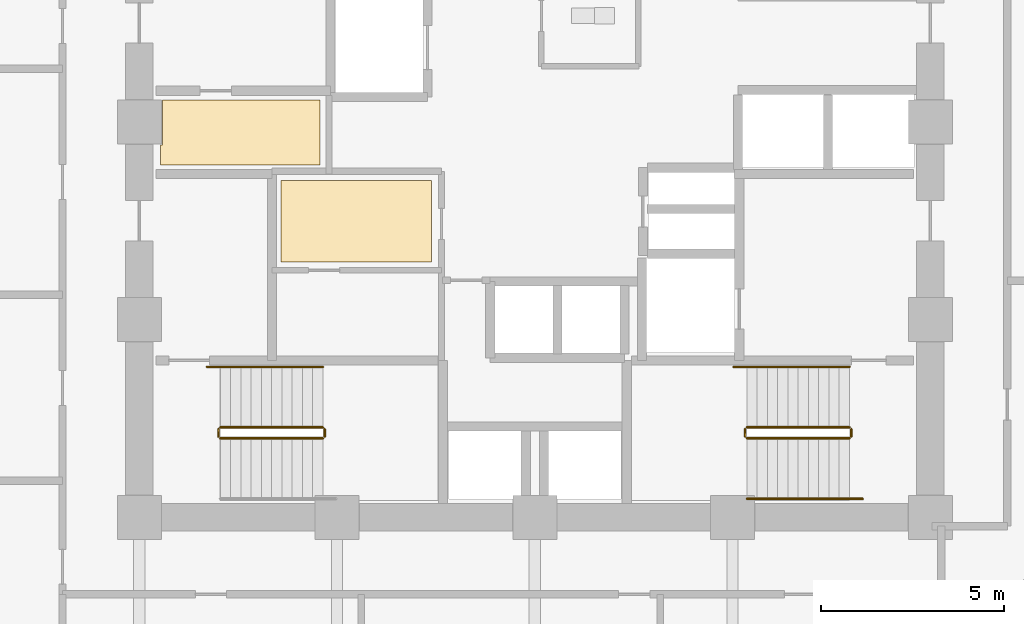
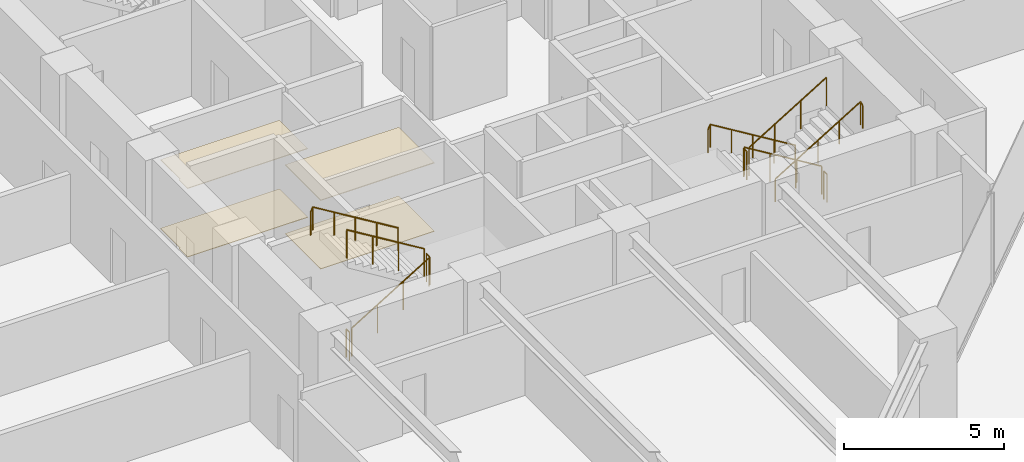
# One storey, part 24 of 27: 11 railings, 4 coverings.
"""IFC4 building model written with IfcOpenShell, lengths in metres."""

from ifc_helpers import new_model, si_unit, direction, frame, origin, origin_2d, place, context, subcontext, project, spatial, polyline, circle, outline, extrude, material, layer, layer_set, type_object, element, save


model = new_model("IFC4")

# Units and contexts
model_context = context("Model", 3, precision=1e-05, world=origin(), true_north=direction((0.0, 1.0)))
body_context = subcontext(model_context, "Body", "Model", "MODEL_VIEW")
ifc_project = project(units=[si_unit("LENGTHUNIT", "METRE"), si_unit("AREAUNIT", "SQUARE_METRE"), si_unit("VOLUMEUNIT", "CUBIC_METRE"), si_unit("PLANEANGLEUNIT", "RADIAN"), si_unit("MASSUNIT", "GRAM", prefix="KILO")], contexts=[model_context])

# Site, building, storey
site_placement = place(None, origin())
site = spatial("IfcSite", under=ifc_project, at=site_placement, CompositionType="ELEMENT")
building_placement = place(site_placement, origin())
building = spatial("IfcBuilding", under=site, at=building_placement, Name="Surkhivell Harbour Commons", CompositionType="ELEMENT")
storey_placement = place(building_placement, frame((0.0, 0.0, 22.5)))
storey = spatial("IfcBuildingStorey", under=building, at=storey_placement, Name="L05", CompositionType="ELEMENT", Elevation=22.5)

# Coverings
ifc_material_1 = material(Name="Perforated acoustic mineral-fibre ceiling tile", Category="other")
ifc_layer_1 = layer(ifc_material_1, 0.02490234375)
ifc_layer_set_1 = layer_set([ifc_layer_1], Name="Perforated acoustic mineral-fibre ceiling tile")
covering_type_1 = type_object("IfcCoveringType", Name="COV-CEIL-AC", PredefinedType="CEILING", material=ifc_layer_set_1)
covering_1_placement = place(storey_placement, frame((0.0, 0.0, 2.6240234375)))
element("IfcCovering", 1, at=covering_1_placement, inside=storey, type_object=covering_type_1, Name="L05 Suspended Acoustic Ceiling 1", PredefinedType="CEILING", context=body_context, shape_type="SweptSolid", body=[
    extrude(outline(polyline([(-10.219970703125, -1.179931640625), (-5.8701171875, -1.179931640625), (-5.8701171875, 0.60009765625), (-10.169921875, 0.60009765625), (-10.169921875, -0.6298828125), (-10.219970703125, -0.6298828125), (-10.219970703125, -1.179931640625)])), origin(), (0.0, 0.0, 1.0), 0.02490234375),
])
ifc_material_2 = material(Name="Moisture-resistant gypsum acoustic ceiling board", Category="other")
ifc_layer_2 = layer(ifc_material_2, 0.030029296875)
ifc_layer_set_2 = layer_set([ifc_layer_2], Name="Moisture-resistant gypsum acoustic ceiling board")
covering_type_2 = type_object("IfcCoveringType", Name="COV-CEIL-GYP", PredefinedType="CEILING", material=ifc_layer_set_2)
covering_2_placement = place(storey_placement, frame((0.0, 0.0, 2.618896484375)))
element("IfcCovering", 2, at=covering_2_placement, inside=storey, type_object=covering_type_2, Name="L05 Suspended Acoustic Ceiling 2", PredefinedType="CEILING", context=body_context, shape_type="SweptSolid", body=[
    extrude(outline(polyline([(-6.929931640625, -3.830078125), (-2.820068359375, -3.830078125), (-2.820068359375, -1.60009765625), (-6.929931640625, -1.60009765625), (-6.929931640625, -3.830078125)])), origin(), (0.0, 0.0, 1.0), 0.030029296875),
])
ifc_material_3 = material(Name="Engineered acoustic oak timber flooring", Category="wood")
ifc_layer_3 = layer(ifc_material_3, 0.02001953125)
ifc_layer_set_3 = layer_set([ifc_layer_3], Name="Engineered acoustic oak timber flooring")
covering_type_3 = type_object("IfcCoveringType", Name="COV-FLR-TIM", PredefinedType="FLOORING", material=ifc_layer_set_3)
covering_3_placement = place(storey_placement, origin())
element("IfcCovering", 3, at=covering_3_placement, inside=storey, type_object=covering_type_3, Name="L05 Interior Floor Finish 1", PredefinedType="FLOORING", context=body_context, shape_type="SweptSolid", body=[
    extrude(outline(polyline([(-10.219970703125, -1.179931640625), (-5.8701171875, -1.179931640625), (-5.8701171875, 0.60009765625), (-10.169921875, 0.60009765625), (-10.169921875, -0.6298828125), (-10.219970703125, -0.6298828125), (-10.219970703125, -1.179931640625)])), origin(), (0.0, 0.0, 1.0), 0.02001953125),
])
covering_4_placement = place(storey_placement, origin())
element("IfcCovering", 4, at=covering_4_placement, inside=storey, type_object=covering_type_3, Name="L05 Interior Floor Finish 2", PredefinedType="FLOORING", context=body_context, shape_type="SweptSolid", body=[
    extrude(outline(polyline([(-6.929931640625, -3.830078125), (-2.820068359375, -3.830078125), (-2.820068359375, -1.60009765625), (-6.929931640625, -1.60009765625), (-6.929931640625, -3.830078125)])), origin(), (0.0, 0.0, 1.0), 0.02001953125),
])

# Railings
ifc_material_4 = material(Name="Galvanised and painted steel S355 guard rail", Category="steel")
railing_type_1 = type_object("IfcRailingType", Name="RAL-ST-GRD1100", PredefinedType="GUARDRAIL", material=ifc_material_4)
railing_1_placement = place(storey_placement, frame((8.590087890625, -8.340087890625, 0.17041015625)))
element("IfcRailing", 5, at=railing_1_placement, inside=storey, type_object=railing_type_1, Name="L05 ST2 stair guard 1", PredefinedType="GUARDRAIL", context=body_context, shape_type="SweptSolid", body=[
    extrude(circle(Radius=0.02392578125, at=origin_2d()), frame((0.0, 0.0, 1.076171875), z_axis=(-0.854169791009, 0.0, 0.51999420009), x_axis=(0.0, -1.0, 0.0)), (0.0, 0.0, 1.0), 3.278076171875),
    extrude(circle(Radius=0.02099609375, at=origin_2d()), origin(), (0.0, 0.0, 1.0), 1.052001953125),
    extrude(circle(Radius=0.02099609375, at=origin_2d()), frame((-0.933349609375, 0.0, 0.568115234375)), (0.0, 0.0, 1.0), 1.052001953125),
    extrude(circle(Radius=0.02099609375, at=origin_2d()), frame((-1.86669921875, 0.0, 1.136474609375)), (0.0, 0.0, 1.0), 1.052001953125),
    extrude(circle(Radius=0.02099609375, at=origin_2d()), frame((-2.800048828125, 0.0, 1.70458984375)), (0.0, 0.0, 1.0), 1.052001953125),
])
railing_2_placement = place(storey_placement, frame((5.739990234375, -8.389892578125, 1.875)))
element("IfcRailing", 6, at=railing_2_placement, inside=storey, type_object=railing_type_1, Name="L05 ST2 stair guard 2", PredefinedType="GUARDRAIL", context=body_context, shape_type="SweptSolid", body=[
    extrude(circle(Radius=0.02392578125, at=origin_2d()), frame((0.0, 0.0, 1.076171875), z_axis=(0.0, -1.0, 0.0), x_axis=(1.0, 0.0, 0.0)), (0.0, 0.0, 1.0), 0.2001953125),
    extrude(circle(Radius=0.02099609375, at=origin_2d()), origin(), (0.0, 0.0, 1.0), 1.052001953125),
    extrude(circle(Radius=0.02099609375, at=origin_2d()), frame((0.0, -0.2001953125, 0.0)), (0.0, 0.0, 1.0), 1.052001953125),
])
railing_3_placement = place(storey_placement, frame((5.7900390625, -8.639892578125, 2.04541015625)))
element("IfcRailing", 7, at=railing_3_placement, inside=storey, type_object=railing_type_1, Name="L05 ST2 stair guard 3", PredefinedType="GUARDRAIL", context=body_context, shape_type="SweptSolid", body=[
    extrude(circle(Radius=0.02392578125, at=origin_2d()), frame((0.0, 0.0, 1.076171875), z_axis=(0.854169791009, 0.0, 0.51999420009), x_axis=(0.0, 1.0, 0.0)), (0.0, 0.0, 1.0), 3.278076171875),
    extrude(circle(Radius=0.02099609375, at=origin_2d()), origin(), (0.0, 0.0, 1.0), 1.052001953125),
    extrude(circle(Radius=0.02099609375, at=origin_2d()), frame((0.933349609375, 0.0, 0.568115234375)), (0.0, 0.0, 1.0), 1.052001953125),
    extrude(circle(Radius=0.02099609375, at=origin_2d()), frame((1.86669921875, 0.0, 1.136474609375)), (0.0, 0.0, 1.0), 1.052001953125),
    extrude(circle(Radius=0.02099609375, at=origin_2d()), frame((2.800048828125, 0.0, 1.70458984375)), (0.0, 0.0, 1.0), 1.052001953125),
])
railing_4_placement = place(storey_placement, frame((8.639892578125, -8.389892578125, 0.0)))
element("IfcRailing", 8, at=railing_4_placement, inside=storey, type_object=railing_type_1, Name="L05 ST2 stair guard 4", PredefinedType="GUARDRAIL", context=body_context, shape_type="SweptSolid", body=[
    extrude(circle(Radius=0.02392578125, at=origin_2d()), frame((0.0, 0.0, 1.076171875), z_axis=(0.0, -1.0, 0.0), x_axis=(1.0, 0.0, 0.0)), (0.0, 0.0, 1.0), 0.2001953125),
    extrude(circle(Radius=0.02099609375, at=origin_2d()), origin(), (0.0, 0.0, 1.0), 1.052001953125),
    extrude(circle(Radius=0.02099609375, at=origin_2d()), frame((0.0, -0.2001953125, 0.0)), (0.0, 0.0, 1.0), 1.052001953125),
])
railing_5_placement = place(storey_placement, frame((-8.590087890625, -8.639892578125, 0.17041015625)))
element("IfcRailing", 9, at=railing_5_placement, inside=storey, type_object=railing_type_1, Name="L05 ST3 stair guard 1", PredefinedType="GUARDRAIL", context=body_context, shape_type="SweptSolid", body=[
    extrude(circle(Radius=0.02392578125, at=origin_2d()), frame((0.0, 0.0, 1.076171875), z_axis=(0.854169791009, 0.0, 0.51999420009), x_axis=(0.0, 1.0, 0.0)), (0.0, 0.0, 1.0), 3.278076171875),
    extrude(circle(Radius=0.02099609375, at=origin_2d()), origin(), (0.0, 0.0, 1.0), 1.052001953125),
    extrude(circle(Radius=0.02099609375, at=origin_2d()), frame((0.933349609375, 0.0, 0.568115234375)), (0.0, 0.0, 1.0), 1.052001953125),
    extrude(circle(Radius=0.02099609375, at=origin_2d()), frame((1.86669921875, 0.0, 1.136474609375)), (0.0, 0.0, 1.0), 1.052001953125),
    extrude(circle(Radius=0.02099609375, at=origin_2d()), frame((2.800048828125, 0.0, 1.70458984375)), (0.0, 0.0, 1.0), 1.052001953125),
])
railing_6_placement = place(storey_placement, frame((-5.739990234375, -8.590087890625, 1.875)))
element("IfcRailing", 10, at=railing_6_placement, inside=storey, type_object=railing_type_1, Name="L05 ST3 stair guard 2", PredefinedType="GUARDRAIL", context=body_context, shape_type="SweptSolid", body=[
    extrude(circle(Radius=0.02392578125, at=origin_2d()), frame((0.0, 0.0, 1.076171875), z_axis=(0.0, 1.0, 0.0), x_axis=(-1.0, 0.0, 0.0)), (0.0, 0.0, 1.0), 0.2001953125),
    extrude(circle(Radius=0.02099609375, at=origin_2d()), origin(), (0.0, 0.0, 1.0), 1.052001953125),
    extrude(circle(Radius=0.02099609375, at=origin_2d()), frame((0.0, 0.2001953125, 0.0)), (0.0, 0.0, 1.0), 1.052001953125),
])
railing_7_placement = place(storey_placement, frame((-5.7900390625, -8.340087890625, 2.04541015625)))
element("IfcRailing", 11, at=railing_7_placement, inside=storey, type_object=railing_type_1, Name="L05 ST3 stair guard 3", PredefinedType="GUARDRAIL", context=body_context, shape_type="SweptSolid", body=[
    extrude(circle(Radius=0.02392578125, at=origin_2d()), frame((0.0, 0.0, 1.076171875), z_axis=(-0.854169791009, 0.0, 0.51999420009), x_axis=(0.0, -1.0, 0.0)), (0.0, 0.0, 1.0), 3.278076171875),
    extrude(circle(Radius=0.02099609375, at=origin_2d()), origin(), (0.0, 0.0, 1.0), 1.052001953125),
    extrude(circle(Radius=0.02099609375, at=origin_2d()), frame((-0.933349609375, 0.0, 0.568115234375)), (0.0, 0.0, 1.0), 1.052001953125),
    extrude(circle(Radius=0.02099609375, at=origin_2d()), frame((-1.86669921875, 0.0, 1.136474609375)), (0.0, 0.0, 1.0), 1.052001953125),
    extrude(circle(Radius=0.02099609375, at=origin_2d()), frame((-2.800048828125, 0.0, 1.70458984375)), (0.0, 0.0, 1.0), 1.052001953125),
])
railing_8_placement = place(storey_placement, frame((-8.639892578125, -8.590087890625, 0.0)))
element("IfcRailing", 12, at=railing_8_placement, inside=storey, type_object=railing_type_1, Name="L05 ST3 stair guard 4", PredefinedType="GUARDRAIL", context=body_context, shape_type="SweptSolid", body=[
    extrude(circle(Radius=0.02392578125, at=origin_2d()), frame((0.0, 0.0, 1.076171875), z_axis=(0.0, 1.0, 0.0), x_axis=(-1.0, 0.0, 0.0)), (0.0, 0.0, 1.0), 0.2001953125),
    extrude(circle(Radius=0.02099609375, at=origin_2d()), origin(), (0.0, 0.0, 1.0), 1.052001953125),
    extrude(circle(Radius=0.02099609375, at=origin_2d()), frame((0.0, 0.2001953125, 0.0)), (0.0, 0.0, 1.0), 1.052001953125),
])
ifc_material_5 = material(Name="Brushed stainless steel S355 handrail", Category="steel")
railing_type_2 = type_object("IfcRailingType", Name="RAL-ST-HND900", PredefinedType="HANDRAIL", material=ifc_material_5)
railing_9_placement = place(storey_placement, frame((8.590087890625, -6.68994140625, 0.17041015625)))
element("IfcRailing", 13, at=railing_9_placement, inside=storey, type_object=railing_type_2, Name="L05 ST2 stair handrail 1", PredefinedType="HANDRAIL", context=body_context, shape_type="SweptSolid", body=[
    extrude(circle(Radius=0.02392578125, at=origin_2d()), frame((0.0, 0.0, 0.8759765625), z_axis=(-0.854177636135, 0.0, 0.519981313056), x_axis=(0.0, -1.0, 0.0)), (0.0, 0.0, 1.0), 3.60595703125),
    extrude(circle(Radius=0.02392578125, at=origin_2d()), frame((-3.080078125, 0.0, 2.7509765625), z_axis=(-0.425297416671, 0.0, -0.905053648892), x_axis=(0.0, -1.0, 0.0)), (0.0, 0.0, 1.0), 0.188232421875),
    extrude(circle(Radius=0.02099609375, at=origin_2d()), origin(), (0.0, 0.0, 1.0), 0.851806640625),
    extrude(circle(Radius=0.02099609375, at=origin_2d()), frame((-0.77001953125, 0.0, 0.46875)), (0.0, 0.0, 1.0), 0.851806640625),
    extrude(circle(Radius=0.02099609375, at=origin_2d()), frame((-1.5400390625, 0.0, 0.9375)), (0.0, 0.0, 1.0), 0.851806640625),
    extrude(circle(Radius=0.02099609375, at=origin_2d()), frame((-2.31005859375, 0.0, 1.40625)), (0.0, 0.0, 1.0), 0.851806640625),
    extrude(circle(Radius=0.02099609375, at=origin_2d()), frame((-3.080078125, 0.0, 1.875)), (0.0, 0.0, 1.0), 0.851806640625),
    extrude(circle(Radius=0.02099609375, at=origin_2d()), frame((-3.16015625, 0.0, 1.70458984375)), (0.0, 0.0, 1.0), 0.851806640625),
])
railing_10_placement = place(storey_placement, frame((5.7900390625, -10.2900390625, 2.04541015625)))
element("IfcRailing", 14, at=railing_10_placement, inside=storey, type_object=railing_type_2, Name="L05 ST2 stair handrail 2", PredefinedType="HANDRAIL", context=body_context, shape_type="SweptSolid", body=[
    extrude(circle(Radius=0.02392578125, at=origin_2d()), frame((0.0, 0.0, 0.8759765625), z_axis=(0.854177636135, 0.0, 0.519981313056), x_axis=(0.0, 1.0, 0.0)), (0.0, 0.0, 1.0), 3.60595703125),
    extrude(circle(Radius=0.02392578125, at=origin_2d()), frame((3.080078125, 0.0, 2.7509765625), z_axis=(0.424234432967, 0.0, -0.905552398199), x_axis=(0.0, 1.0, 0.0)), (0.0, 0.0, 1.0), 0.188232421875),
    extrude(circle(Radius=0.02099609375, at=origin_2d()), origin(), (0.0, 0.0, 1.0), 0.851806640625),
    extrude(circle(Radius=0.02099609375, at=origin_2d()), frame((0.77001953125, 0.0, 0.46875)), (0.0, 0.0, 1.0), 0.851806640625),
    extrude(circle(Radius=0.02099609375, at=origin_2d()), frame((1.5400390625, 0.0, 0.9375)), (0.0, 0.0, 1.0), 0.851806640625),
    extrude(circle(Radius=0.02099609375, at=origin_2d()), frame((2.31005859375, 0.0, 1.40625)), (0.0, 0.0, 1.0), 0.851806640625),
    extrude(circle(Radius=0.02099609375, at=origin_2d()), frame((3.080078125, 0.0, 1.875)), (0.0, 0.0, 1.0), 0.851806640625),
    extrude(circle(Radius=0.02099609375, at=origin_2d()), frame((3.159912109375, 0.0, 1.70458984375)), (0.0, 0.0, 1.0), 0.851806640625),
])
railing_11_placement = place(storey_placement, frame((-5.7900390625, -6.68994140625, 2.04541015625)))
element("IfcRailing", 15, at=railing_11_placement, inside=storey, type_object=railing_type_2, Name="L05 ST3 stair handrail 2", PredefinedType="HANDRAIL", context=body_context, shape_type="SweptSolid", body=[
    extrude(circle(Radius=0.02392578125, at=origin_2d()), frame((0.0, 0.0, 0.8759765625), z_axis=(-0.854177636135, 0.0, 0.519981313056), x_axis=(0.0, -1.0, 0.0)), (0.0, 0.0, 1.0), 3.60595703125),
    extrude(circle(Radius=0.02392578125, at=origin_2d()), frame((-3.080078125, 0.0, 2.7509765625), z_axis=(-0.424234432967, 0.0, -0.905552398199), x_axis=(0.0, -1.0, 0.0)), (0.0, 0.0, 1.0), 0.188232421875),
    extrude(circle(Radius=0.02099609375, at=origin_2d()), origin(), (0.0, 0.0, 1.0), 0.851806640625),
    extrude(circle(Radius=0.02099609375, at=origin_2d()), frame((-0.77001953125, 0.0, 0.46875)), (0.0, 0.0, 1.0), 0.851806640625),
    extrude(circle(Radius=0.02099609375, at=origin_2d()), frame((-1.5400390625, 0.0, 0.9375)), (0.0, 0.0, 1.0), 0.851806640625),
    extrude(circle(Radius=0.02099609375, at=origin_2d()), frame((-2.31005859375, 0.0, 1.40625)), (0.0, 0.0, 1.0), 0.851806640625),
    extrude(circle(Radius=0.02099609375, at=origin_2d()), frame((-3.080078125, 0.0, 1.875)), (0.0, 0.0, 1.0), 0.851806640625),
    extrude(circle(Radius=0.02099609375, at=origin_2d()), frame((-3.159912109375, 0.0, 1.70458984375)), (0.0, 0.0, 1.0), 0.851806640625),
])

save(model, "model.ifc")
